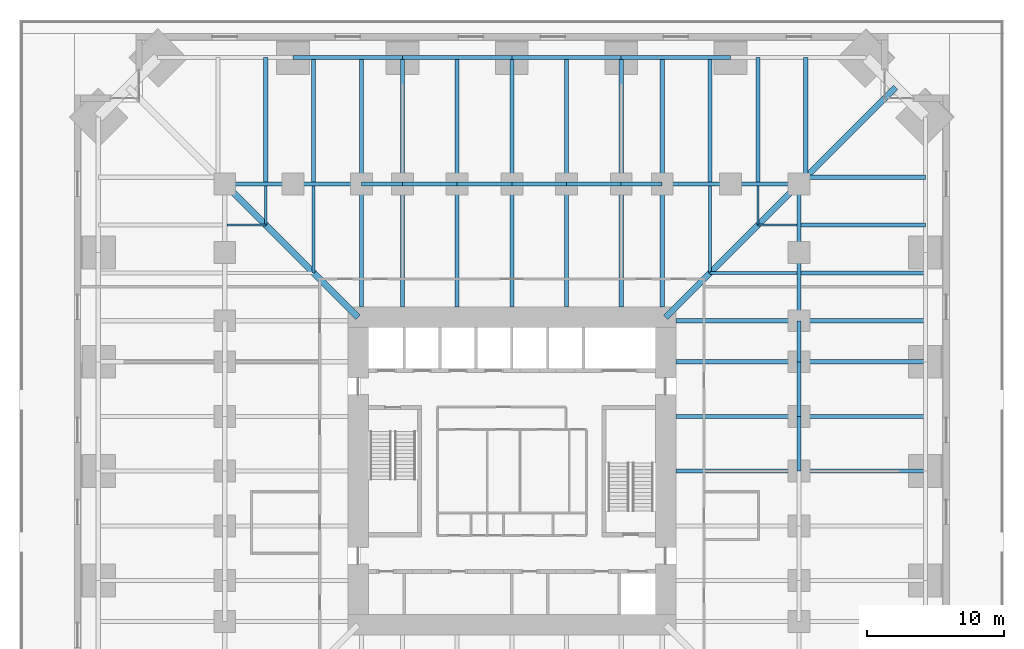
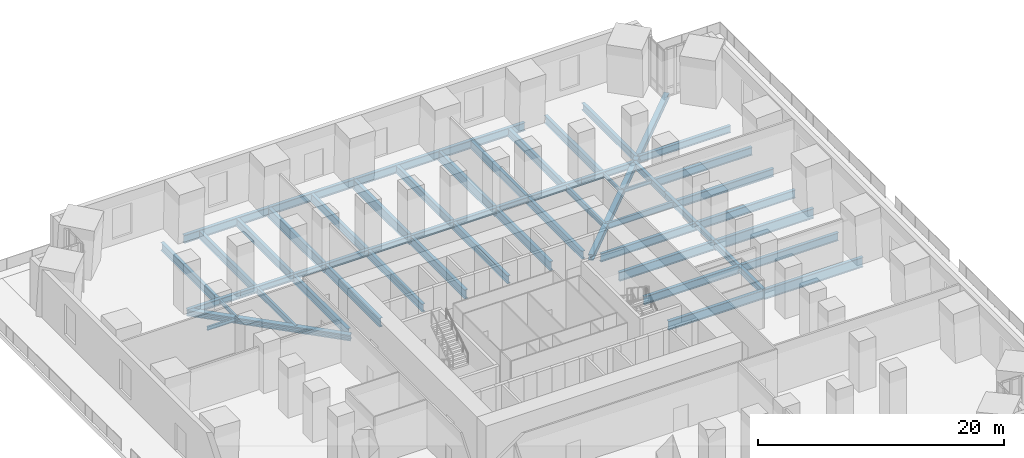
# One storey, part 7 of 26: 59 beams.
"""IFC4 building model written with IfcOpenShell, lengths in metres."""

from ifc_helpers import new_model, si_unit, direction, frame, origin, origin_2d, place, context, subcontext, project, spatial, i_section, extrude, material, material_profile, profile_set, type_object, element, save


model = new_model("IFC4")

# Units and contexts
model_context = context("Model", 3, precision=1e-05, world=origin(), true_north=direction((0.0, 1.0)))
body_context = subcontext(model_context, "Body", "Model", "MODEL_VIEW")
ifc_project = project(units=[si_unit("LENGTHUNIT", "METRE"), si_unit("AREAUNIT", "SQUARE_METRE"), si_unit("VOLUMEUNIT", "CUBIC_METRE"), si_unit("PLANEANGLEUNIT", "RADIAN"), si_unit("MASSUNIT", "GRAM", prefix="KILO")], contexts=[model_context])

# Site, building, storey
site_placement = place(None, origin())
site = spatial("IfcSite", under=ifc_project, at=site_placement, CompositionType="ELEMENT")
building_placement = place(site_placement, origin())
building = spatial("IfcBuilding", under=site, at=building_placement, Name="Peilmerk Tower", CompositionType="ELEMENT")
storey_placement = place(building_placement, frame((0.0, 0.0, 16.0)))
storey = spatial("IfcBuildingStorey", under=building, at=storey_placement, Name="L03", CompositionType="ELEMENT", Elevation=16.0)

# Beams
ifc_material_1 = material(Name="Steel S355", Category="steel")
ifc_material_profile_1 = material_profile(ifc_material_1, i_section(OverallWidth=0.219970703125, OverallDepth=0.60009765625, WebThickness=0.011962890625, FlangeThickness=0.01904296875, at=origin_2d()), Name="IPE 600")
ifc_profile_set_1 = profile_set([ifc_material_profile_1], Name="Steel S355")
beam_type_1 = type_object("IfcBeamType", Name="B10 IPE 600 floor beam", PredefinedType="BEAM", material=ifc_profile_set_1)
for number, where, z_axis, x_axis, name in (
    (1, (14.5, 14.5, -0.5), (0.0, 1.0, 0.0), (-1.0, 0.0, 0.0), "Floor beam L03"),
    (2, (14.5, 14.5, -0.5), (1.0, 0.0, 0.0), (0.0, 1.0, 0.0), "Floor beam L03"),
    (3, (-14.5, 14.5, -0.5), (0.0, 1.0, 0.0), (-1.0, 0.0, 0.0), "Floor beam L03"),
):
    element("IfcBeam", number, at=place(storey_placement, frame(where, z_axis=z_axis, x_axis=x_axis)), inside=storey, type_object=beam_type_1, Name=name, PredefinedType="BEAM", context=body_context, shape_type="SweptSolid", body=[
        extrude(i_section(OverallWidth=0.219970703125, OverallDepth=0.60009765625, WebThickness=0.011962890625, FlangeThickness=0.01904296875, at=origin_2d()), origin(), (0.0, 0.0, 1.0), 6.347412109375),
    ])
ifc_material_profile_2 = material_profile(ifc_material_1, i_section(OverallWidth=0.169921875, OverallDepth=0.360107421875, WebThickness=0.008056640625, FlangeThickness=0.0126953125, at=origin_2d()), Name="IPE 360")
ifc_profile_set_2 = profile_set([ifc_material_profile_2], Name="Steel S355")
beam_type_2 = type_object("IfcBeamType", Name="B11 IPE 360 floor beam", PredefinedType="BEAM", material=ifc_profile_set_2)
for number, where, z_axis, x_axis, name in (
    (4, (18.0, 18.0, -0.3798828125), (0.0, 1.0, 0.0), (-1.0, 0.0, 0.0), "Floor beam L03"),
    (5, (18.0, 18.0, -0.3798828125), (1.0, 0.0, 0.0), (0.0, 1.0, 0.0), "Floor beam L03"),
    (6, (-18.0, 18.0, -0.3798828125), (0.0, 1.0, 0.0), (-1.0, 0.0, 0.0), "Floor beam L03"),
    (7, (-18.0, 18.0, -0.3798828125), (-1.0, 0.0, 0.0), (0.0, -1.0, 0.0), "Floor beam L03"),
):
    element("IfcBeam", number, at=place(storey_placement, frame(where, z_axis=z_axis, x_axis=x_axis)), inside=storey, type_object=beam_type_2, Name=name, PredefinedType="BEAM", context=body_context, shape_type="SweptSolid", body=[
        extrude(i_section(OverallWidth=0.169921875, OverallDepth=0.360107421875, WebThickness=0.008056640625, FlangeThickness=0.0126953125, at=origin_2d()), origin(), (0.0, 0.0, 1.0), 2.847412109375),
    ])
ifc_material_profile_3 = material_profile(ifc_material_1, i_section(OverallWidth=0.300048828125, OverallDepth=0.989990234375, WebThickness=0.0166015625, FlangeThickness=0.031005859375, at=origin_2d()), Name="HEA 1000")
ifc_profile_set_3 = profile_set([ifc_material_profile_3], Name="Steel S355")
beam_type_3 = type_object("IfcBeamType", Name="B14 HEA 1000 floor girder", PredefinedType="BEAM", material=ifc_profile_set_3)
for number, where, z_axis, x_axis, name in (
    (8, (8.0, 21.0, -0.695068359375), (0.0, 1.0, 0.0), (-1.0, 0.0, 0.0), "Floor girder L03"),
    (9, (0.0, 21.0, -0.695068359375), (0.0, 1.0, 0.0), (-1.0, 0.0, 0.0), "Floor girder L03"),
    (10, (-8.0, 21.0, -0.695068359375), (0.0, 1.0, 0.0), (-1.0, 0.0, 0.0), "Floor girder L03"),
    (11, (21.0, 0.0, -0.695068359375), (1.0, 0.0, 0.0), (0.0, 1.0, 0.0), "Floor girder L03"),
    (12, (21.0, 8.0, -0.695068359375), (1.0, 0.0, 0.0), (0.0, 1.0, 0.0), "Floor girder L03"),
):
    element("IfcBeam", number, at=place(storey_placement, frame(where, z_axis=z_axis, x_axis=x_axis)), inside=storey, type_object=beam_type_3, Name=name, PredefinedType="BEAM", context=body_context, shape_type="SweptSolid", body=[
        extrude(i_section(OverallWidth=0.300048828125, OverallDepth=0.989990234375, WebThickness=0.0166015625, FlangeThickness=0.031005859375, at=origin_2d()), origin(), (0.0, 0.0, 1.0), 9.251708984375),
    ])
ifc_material_profile_4 = material_profile(ifc_material_1, i_section(OverallWidth=0.302978515625, OverallDepth=0.81396484375, WebThickness=0.02099609375, FlangeThickness=0.0400390625, at=origin_2d()), Name="HEM 800")
ifc_profile_set_4 = profile_set([ifc_material_profile_4], Name="Steel S355")
beam_type_4 = type_object("IfcBeamType", Name="B15 HEM 800 edge beam", PredefinedType="SPANDREL", material=ifc_profile_set_4)
for number, where, z_axis, x_axis, name in (
    (13, (16.0, 30.251708984375, -0.60693359375), (-1.0, 0.0, 0.0), (0.0, -1.0, 0.0), "Edge beam L03"),
    (14, (8.0, 30.251708984375, -0.60693359375), (-1.0, 0.0, 0.0), (0.0, -1.0, 0.0), "Edge beam L03"),
    (15, (0.0, 30.251708984375, -0.60693359375), (-1.0, 0.0, 0.0), (0.0, -1.0, 0.0), "Edge beam L03"),
    (16, (-8.0, 30.251708984375, -0.60693359375), (-1.0, 0.0, 0.0), (0.0, -1.0, 0.0), "Edge beam L03"),
):
    element("IfcBeam", number, at=place(storey_placement, frame(where, z_axis=z_axis, x_axis=x_axis)), inside=storey, type_object=beam_type_4, Name=name, PredefinedType="SPANDREL", context=body_context, shape_type="SweptSolid", body=[
        extrude(i_section(OverallWidth=0.302978515625, OverallDepth=0.81396484375, WebThickness=0.02099609375, FlangeThickness=0.0400390625, at=origin_2d()), origin(), (0.0, 0.0, 1.0), 8.0),
    ])
ifc_material_profile_5 = material_profile(ifc_material_1, i_section(OverallWidth=0.300048828125, OverallDepth=0.68994140625, WebThickness=0.014404296875, FlangeThickness=0.027099609375, at=origin_2d()), Name="HEA 700")
ifc_profile_set_5 = profile_set([ifc_material_profile_5], Name="Steel S355")
beam_type_5 = type_object("IfcBeamType", Name="B16 HEA 700 floor beam", PredefinedType="BEAM", material=ifc_profile_set_5)
for number, where, z_axis, x_axis, name in (
    (17, (21.5, 21.5, -0.544921875), (0.0, 1.0, 0.0), (-1.0, 0.0, 0.0), "Floor beam L03"),
    (18, (21.5, 21.5, -0.544921875), (1.0, 0.0, 0.0), (0.0, 1.0, 0.0), "Floor beam L03"),
):
    element("IfcBeam", number, at=place(storey_placement, frame(where, z_axis=z_axis, x_axis=x_axis)), inside=storey, type_object=beam_type_5, Name=name, PredefinedType="BEAM", context=body_context, shape_type="SweptSolid", body=[
        extrude(i_section(OverallWidth=0.300048828125, OverallDepth=0.68994140625, WebThickness=0.014404296875, FlangeThickness=0.027099609375, at=origin_2d()), origin(), (0.0, 0.0, 1.0), 8.751708984375),
    ])
ifc_material_profile_6 = material_profile(ifc_material_1, i_section(OverallWidth=0.300048828125, OverallDepth=0.7900390625, WebThickness=0.014892578125, FlangeThickness=0.028076171875, at=origin_2d()), Name="HEA 800")
ifc_profile_set_6 = profile_set([ifc_material_profile_6], Name="Steel S355")
beam_type_6 = type_object("IfcBeamType", Name="B3 HEA 800 floor beam", PredefinedType="BEAM", material=ifc_profile_set_6)
beam_1_placement = place(storey_placement, frame((11.0, 12.0, -0.594970703125), z_axis=(0.0, 1.0, 0.0), x_axis=(-1.0, 0.0, 0.0)))
element("IfcBeam", 19, at=beam_1_placement, inside=storey, type_object=beam_type_6, Name="Floor beam L03", PredefinedType="BEAM", context=body_context, shape_type="SweptSolid", body=[
    extrude(i_section(OverallWidth=0.300048828125, OverallDepth=0.7900390625, WebThickness=0.014892578125, FlangeThickness=0.028076171875, at=origin_2d()), origin(), (0.0, 0.0, 1.0), 9.0),
])
beam_2_placement = place(storey_placement, frame((11.0, 21.0, -0.594970703125), z_axis=(0.0, 1.0, 0.0), x_axis=(-1.0, 0.0, 0.0)))
element("IfcBeam", 20, at=beam_2_placement, inside=storey, type_object=beam_type_6, Name="Floor beam L03", PredefinedType="BEAM", context=body_context, shape_type="SweptSolid", body=[
    extrude(i_section(OverallWidth=0.300048828125, OverallDepth=0.7900390625, WebThickness=0.014892578125, FlangeThickness=0.028076171875, at=origin_2d()), origin(), (0.0, 0.0, 1.0), 9.251708984375),
])
beam_3_placement = place(storey_placement, frame((4.0, 12.0, -0.594970703125), z_axis=(0.0, 1.0, 0.0), x_axis=(-1.0, 0.0, 0.0)))
element("IfcBeam", 21, at=beam_3_placement, inside=storey, type_object=beam_type_6, Name="Floor beam L03", PredefinedType="BEAM", context=body_context, shape_type="SweptSolid", body=[
    extrude(i_section(OverallWidth=0.300048828125, OverallDepth=0.7900390625, WebThickness=0.014892578125, FlangeThickness=0.028076171875, at=origin_2d()), origin(), (0.0, 0.0, 1.0), 9.0),
])
beam_4_placement = place(storey_placement, frame((4.0, 21.0, -0.594970703125), z_axis=(0.0, 1.0, 0.0), x_axis=(-1.0, 0.0, 0.0)))
element("IfcBeam", 22, at=beam_4_placement, inside=storey, type_object=beam_type_6, Name="Floor beam L03", PredefinedType="BEAM", context=body_context, shape_type="SweptSolid", body=[
    extrude(i_section(OverallWidth=0.300048828125, OverallDepth=0.7900390625, WebThickness=0.014892578125, FlangeThickness=0.028076171875, at=origin_2d()), origin(), (0.0, 0.0, 1.0), 9.251708984375),
])
beam_5_placement = place(storey_placement, frame((-4.0, 12.0, -0.594970703125), z_axis=(0.0, 1.0, 0.0), x_axis=(-1.0, 0.0, 0.0)))
element("IfcBeam", 23, at=beam_5_placement, inside=storey, type_object=beam_type_6, Name="Floor beam L03", PredefinedType="BEAM", context=body_context, shape_type="SweptSolid", body=[
    extrude(i_section(OverallWidth=0.300048828125, OverallDepth=0.7900390625, WebThickness=0.014892578125, FlangeThickness=0.028076171875, at=origin_2d()), origin(), (0.0, 0.0, 1.0), 9.0),
])
beam_6_placement = place(storey_placement, frame((-4.0, 21.0, -0.594970703125), z_axis=(0.0, 1.0, 0.0), x_axis=(-1.0, 0.0, 0.0)))
element("IfcBeam", 24, at=beam_6_placement, inside=storey, type_object=beam_type_6, Name="Floor beam L03", PredefinedType="BEAM", context=body_context, shape_type="SweptSolid", body=[
    extrude(i_section(OverallWidth=0.300048828125, OverallDepth=0.7900390625, WebThickness=0.014892578125, FlangeThickness=0.028076171875, at=origin_2d()), origin(), (0.0, 0.0, 1.0), 9.251708984375),
])
beam_7_placement = place(storey_placement, frame((-11.0, 12.0, -0.594970703125), z_axis=(0.0, 1.0, 0.0), x_axis=(-1.0, 0.0, 0.0)))
element("IfcBeam", 25, at=beam_7_placement, inside=storey, type_object=beam_type_6, Name="Floor beam L03", PredefinedType="BEAM", context=body_context, shape_type="SweptSolid", body=[
    extrude(i_section(OverallWidth=0.300048828125, OverallDepth=0.7900390625, WebThickness=0.014892578125, FlangeThickness=0.028076171875, at=origin_2d()), origin(), (0.0, 0.0, 1.0), 9.0),
])
beam_8_placement = place(storey_placement, frame((-11.0, 21.0, -0.594970703125), z_axis=(0.0, 1.0, 0.0), x_axis=(-1.0, 0.0, 0.0)))
element("IfcBeam", 26, at=beam_8_placement, inside=storey, type_object=beam_type_6, Name="Floor beam L03", PredefinedType="BEAM", context=body_context, shape_type="SweptSolid", body=[
    extrude(i_section(OverallWidth=0.300048828125, OverallDepth=0.7900390625, WebThickness=0.014892578125, FlangeThickness=0.028076171875, at=origin_2d()), origin(), (0.0, 0.0, 1.0), 9.251708984375),
])
beam_9_placement = place(storey_placement, frame((12.0, 4.0, -0.594970703125), z_axis=(1.0, 0.0, 0.0), x_axis=(0.0, 1.0, 0.0)))
element("IfcBeam", 27, at=beam_9_placement, inside=storey, type_object=beam_type_6, Name="Floor beam L03", PredefinedType="BEAM", context=body_context, shape_type="SweptSolid", body=[
    extrude(i_section(OverallWidth=0.300048828125, OverallDepth=0.7900390625, WebThickness=0.014892578125, FlangeThickness=0.028076171875, at=origin_2d()), origin(), (0.0, 0.0, 1.0), 9.0),
])
beam_10_placement = place(storey_placement, frame((21.0, 4.0, -0.594970703125), z_axis=(1.0, 0.0, 0.0), x_axis=(0.0, 1.0, 0.0)))
element("IfcBeam", 28, at=beam_10_placement, inside=storey, type_object=beam_type_6, Name="Floor beam L03", PredefinedType="BEAM", context=body_context, shape_type="SweptSolid", body=[
    extrude(i_section(OverallWidth=0.300048828125, OverallDepth=0.7900390625, WebThickness=0.014892578125, FlangeThickness=0.028076171875, at=origin_2d()), origin(), (0.0, 0.0, 1.0), 9.251708984375),
])
beam_11_placement = place(storey_placement, frame((12.0, 11.0, -0.594970703125), z_axis=(1.0, 0.0, 0.0), x_axis=(0.0, 1.0, 0.0)))
element("IfcBeam", 29, at=beam_11_placement, inside=storey, type_object=beam_type_6, Name="Floor beam L03", PredefinedType="BEAM", context=body_context, shape_type="SweptSolid", body=[
    extrude(i_section(OverallWidth=0.300048828125, OverallDepth=0.7900390625, WebThickness=0.014892578125, FlangeThickness=0.028076171875, at=origin_2d()), origin(), (0.0, 0.0, 1.0), 9.0),
])
beam_12_placement = place(storey_placement, frame((21.0, 11.0, -0.594970703125), z_axis=(1.0, 0.0, 0.0), x_axis=(0.0, 1.0, 0.0)))
element("IfcBeam", 30, at=beam_12_placement, inside=storey, type_object=beam_type_6, Name="Floor beam L03", PredefinedType="BEAM", context=body_context, shape_type="SweptSolid", body=[
    extrude(i_section(OverallWidth=0.300048828125, OverallDepth=0.7900390625, WebThickness=0.014892578125, FlangeThickness=0.028076171875, at=origin_2d()), origin(), (0.0, 0.0, 1.0), 9.251708984375),
])
for number, where, z_axis, x_axis, name in (
    (31, (14.5, 21.152587890625, -0.594970703125), (0.0, 1.0, 0.0), (-1.0, 0.0, 0.0), "Floor beam L03"),
    (32, (21.152587890625, 14.5, -0.594970703125), (1.0, 0.0, 0.0), (0.0, 1.0, 0.0), "Floor beam L03"),
    (33, (18.0, 21.152587890625, -0.594970703125), (0.0, 1.0, 0.0), (-1.0, 0.0, 0.0), "Floor beam L03"),
    (34, (21.152587890625, 18.0, -0.594970703125), (1.0, 0.0, 0.0), (0.0, 1.0, 0.0), "Floor beam L03"),
    (35, (-14.5, 21.152587890625, -0.594970703125), (0.0, 1.0, 0.0), (-1.0, 0.0, 0.0), "Floor beam L03"),
    (36, (-18.0, 21.152587890625, -0.594970703125), (0.0, 1.0, 0.0), (-1.0, 0.0, 0.0), "Floor beam L03"),
):
    element("IfcBeam", number, at=place(storey_placement, frame(where, z_axis=z_axis, x_axis=x_axis)), inside=storey, type_object=beam_type_6, Name=name, PredefinedType="BEAM", context=body_context, shape_type="SweptSolid", body=[
        extrude(i_section(OverallWidth=0.300048828125, OverallDepth=0.7900390625, WebThickness=0.014892578125, FlangeThickness=0.028076171875, at=origin_2d()), origin(), (0.0, 0.0, 1.0), 9.09912109375),
    ])
ifc_material_profile_7 = material_profile(ifc_material_1, i_section(OverallWidth=0.300048828125, OverallDepth=0.889892578125, WebThickness=0.01611328125, FlangeThickness=0.030029296875, at=origin_2d()), Name="HEA 900")
ifc_profile_set_7 = profile_set([ifc_material_profile_7], Name="Steel S355")
beam_type_7 = type_object("IfcBeamType", Name="B4 HEA 900 floor beam", PredefinedType="BEAM", material=ifc_profile_set_7)
for number, where, z_axis, x_axis, name in (
    (37, (8.0, 12.0, -0.64501953125), (0.0, 1.0, 0.0), (-1.0, 0.0, 0.0), "Floor girder L03"),
    (38, (0.0, 12.0, -0.64501953125), (0.0, 1.0, 0.0), (-1.0, 0.0, 0.0), "Floor girder L03"),
    (39, (-8.0, 12.0, -0.64501953125), (0.0, 1.0, 0.0), (-1.0, 0.0, 0.0), "Floor girder L03"),
    (40, (12.0, 0.0, -0.64501953125), (1.0, 0.0, 0.0), (0.0, 1.0, 0.0), "Floor girder L03"),
    (41, (12.0, 8.0, -0.64501953125), (1.0, 0.0, 0.0), (0.0, 1.0, 0.0), "Floor girder L03"),
):
    element("IfcBeam", number, at=place(storey_placement, frame(where, z_axis=z_axis, x_axis=x_axis)), inside=storey, type_object=beam_type_7, Name=name, PredefinedType="BEAM", context=body_context, shape_type="SweptSolid", body=[
        extrude(i_section(OverallWidth=0.300048828125, OverallDepth=0.889892578125, WebThickness=0.01611328125, FlangeThickness=0.030029296875, at=origin_2d()), origin(), (0.0, 0.0, 1.0), 9.0),
    ])
ifc_material_profile_8 = material_profile(ifc_material_1, i_section(OverallWidth=0.304931640625, OverallDepth=0.6201171875, WebThickness=0.02099609375, FlangeThickness=0.0400390625, at=origin_2d()), Name="HEM 600")
ifc_profile_set_8 = profile_set([ifc_material_profile_8], Name="Steel S355")
beam_type_8 = type_object("IfcBeamType", Name="B6 HEM 600 ring girder", PredefinedType="BEAM", material=ifc_profile_set_8)
for number, where, z_axis, x_axis, name in (
    (42, (21.0, 21.0, -0.510009765625), (-1.0, 0.0, 0.0), (0.0, -1.0, 0.0), "Ring girder L03"),
    (43, (16.0, 21.0, -0.510009765625), (-1.0, 0.0, 0.0), (0.0, -1.0, 0.0), "Ring girder L03"),
):
    element("IfcBeam", number, at=place(storey_placement, frame(where, z_axis=z_axis, x_axis=x_axis)), inside=storey, type_object=beam_type_8, Name=name, PredefinedType="BEAM", context=body_context, shape_type="SweptSolid", body=[
        extrude(i_section(OverallWidth=0.304931640625, OverallDepth=0.6201171875, WebThickness=0.02099609375, FlangeThickness=0.0400390625, at=origin_2d()), origin(), (0.0, 0.0, 1.0), 5.0),
    ])
for number, where, z_axis, x_axis, name in (
    (44, (8.0, 21.0, -0.510009765625), (-1.0, 0.0, 0.0), (0.0, -1.0, 0.0), "Ring girder L03"),
    (45, (4.0, 21.0, -0.510009765625), (-1.0, 0.0, 0.0), (0.0, -1.0, 0.0), "Ring girder L03"),
    (46, (0.0, 21.0, -0.510009765625), (-1.0, 0.0, 0.0), (0.0, -1.0, 0.0), "Ring girder L03"),
    (47, (-4.0, 21.0, -0.510009765625), (-1.0, 0.0, 0.0), (0.0, -1.0, 0.0), "Ring girder L03"),
):
    element("IfcBeam", number, at=place(storey_placement, frame(where, z_axis=z_axis, x_axis=x_axis)), inside=storey, type_object=beam_type_8, Name=name, PredefinedType="BEAM", context=body_context, shape_type="SweptSolid", body=[
        extrude(i_section(OverallWidth=0.304931640625, OverallDepth=0.6201171875, WebThickness=0.02099609375, FlangeThickness=0.0400390625, at=origin_2d()), origin(), (0.0, 0.0, 1.0), 4.0),
    ])
for number, where, z_axis, x_axis, name in (
    (48, (-11.0, 21.0, -0.510009765625), (-1.0, 0.0, 0.0), (0.0, -1.0, 0.0), "Ring girder L03"),
    (49, (-16.0, 21.0, -0.510009765625), (-1.0, 0.0, 0.0), (0.0, -1.0, 0.0), "Ring girder L03"),
):
    element("IfcBeam", number, at=place(storey_placement, frame(where, z_axis=z_axis, x_axis=x_axis)), inside=storey, type_object=beam_type_8, Name=name, PredefinedType="BEAM", context=body_context, shape_type="SweptSolid", body=[
        extrude(i_section(OverallWidth=0.304931640625, OverallDepth=0.6201171875, WebThickness=0.02099609375, FlangeThickness=0.0400390625, at=origin_2d()), origin(), (0.0, 0.0, 1.0), 5.0),
    ])
for number, where, z_axis, x_axis, name in (
    (50, (21.0, 0.0, -0.510009765625), (0.0, 1.0, 0.0), (-1.0, 0.0, 0.0), "Ring girder L03"),
    (51, (21.0, 4.0, -0.510009765625), (0.0, 1.0, 0.0), (-1.0, 0.0, 0.0), "Ring girder L03"),
):
    element("IfcBeam", number, at=place(storey_placement, frame(where, z_axis=z_axis, x_axis=x_axis)), inside=storey, type_object=beam_type_8, Name=name, PredefinedType="BEAM", context=body_context, shape_type="SweptSolid", body=[
        extrude(i_section(OverallWidth=0.304931640625, OverallDepth=0.6201171875, WebThickness=0.02099609375, FlangeThickness=0.0400390625, at=origin_2d()), origin(), (0.0, 0.0, 1.0), 4.0),
    ])
for number, where, z_axis, x_axis, name in (
    (52, (21.0, 11.0, -0.510009765625), (0.0, 1.0, 0.0), (-1.0, 0.0, 0.0), "Ring girder L03"),
    (53, (21.0, 16.0, -0.510009765625), (0.0, 1.0, 0.0), (-1.0, 0.0, 0.0), "Ring girder L03"),
):
    element("IfcBeam", number, at=place(storey_placement, frame(where, z_axis=z_axis, x_axis=x_axis)), inside=storey, type_object=beam_type_8, Name=name, PredefinedType="BEAM", context=body_context, shape_type="SweptSolid", body=[
        extrude(i_section(OverallWidth=0.304931640625, OverallDepth=0.6201171875, WebThickness=0.02099609375, FlangeThickness=0.0400390625, at=origin_2d()), origin(), (0.0, 0.0, 1.0), 5.0),
    ])
ifc_material_profile_9 = material_profile(ifc_material_1, i_section(OverallWidth=0.305908203125, OverallDepth=0.52392578125, WebThickness=0.02099609375, FlangeThickness=0.0400390625, at=origin_2d()), Name="HEM 500")
ifc_profile_set_9 = profile_set([ifc_material_profile_9], Name="Steel S355")
beam_type_9 = type_object("IfcBeamType", Name="B7 HEM 500 ring girder", PredefinedType="BEAM", material=ifc_profile_set_9)
for number, where, z_axis, x_axis, name in (
    (54, (11.0, 21.0, -0.4619140625), (-1.0, 0.0, 0.0), (0.0, -1.0, 0.0), "Ring girder L03"),
    (55, (-8.0, 21.0, -0.4619140625), (-1.0, 0.0, 0.0), (0.0, -1.0, 0.0), "Ring girder L03"),
    (56, (21.0, 8.0, -0.4619140625), (0.0, 1.0, 0.0), (-1.0, 0.0, 0.0), "Ring girder L03"),
):
    element("IfcBeam", number, at=place(storey_placement, frame(where, z_axis=z_axis, x_axis=x_axis)), inside=storey, type_object=beam_type_9, Name=name, PredefinedType="BEAM", context=body_context, shape_type="SweptSolid", body=[
        extrude(i_section(OverallWidth=0.305908203125, OverallDepth=0.52392578125, WebThickness=0.02099609375, FlangeThickness=0.0400390625, at=origin_2d()), origin(), (0.0, 0.0, 1.0), 3.0),
    ])
ifc_material_2 = material(Name="Steel S460", Category="steel")
ifc_material_profile_10 = material_profile(ifc_material_2, i_section(OverallWidth=0.4541015625, OverallDepth=0.569091796875, WebThickness=0.077880859375, FlangeThickness=0.125, at=origin_2d()), Name="HD 400x1086")
ifc_profile_set_10 = profile_set([ifc_material_profile_10], Name="Steel S460")
beam_type_10 = type_object("IfcBeamType", Name="B9 HD 400x1086 corner girder", PredefinedType="BEAM", material=ifc_profile_set_10)
beam_13_placement = place(storey_placement, frame((11.25, 11.25, -0.484619140625), z_axis=(0.707106781187, 0.707106781187, 0.0), x_axis=(-0.707106781187, 0.707106781187, 0.0)))
element("IfcBeam", 57, at=beam_13_placement, inside=storey, type_object=beam_type_10, Name="Corner girder L03", PredefinedType="BEAM", context=body_context, shape_type="SweptSolid", body=[
    extrude(i_section(OverallWidth=0.4541015625, OverallDepth=0.569091796875, WebThickness=0.077880859375, FlangeThickness=0.125, at=origin_2d()), origin(), (0.0, 0.0, 1.0), 13.78857421875),
])
beam_14_placement = place(storey_placement, frame((21.0, 21.0, -0.484619140625), z_axis=(0.707106781187, 0.707106781187, 0.0), x_axis=(-0.707106781187, 0.707106781187, 0.0)))
element("IfcBeam", 58, at=beam_14_placement, inside=storey, type_object=beam_type_10, Name="Corner girder L03", PredefinedType="BEAM", context=body_context, shape_type="SweptSolid", body=[
    extrude(i_section(OverallWidth=0.4541015625, OverallDepth=0.569091796875, WebThickness=0.077880859375, FlangeThickness=0.125, at=origin_2d()), origin(), (0.0, 0.0, 1.0), 10.0078125),
])
beam_15_placement = place(storey_placement, frame((-11.25, 11.25, -0.484619140625), z_axis=(-0.707106781187, 0.707106781187, 0.0), x_axis=(-0.707106781187, -0.707106781187, 0.0)))
element("IfcBeam", 59, at=beam_15_placement, inside=storey, type_object=beam_type_10, Name="Corner girder L03", PredefinedType="BEAM", context=body_context, shape_type="SweptSolid", body=[
    extrude(i_section(OverallWidth=0.4541015625, OverallDepth=0.569091796875, WebThickness=0.077880859375, FlangeThickness=0.125, at=origin_2d()), origin(), (0.0, 0.0, 1.0), 13.78857421875),
])

save(model, "model.ifc")
